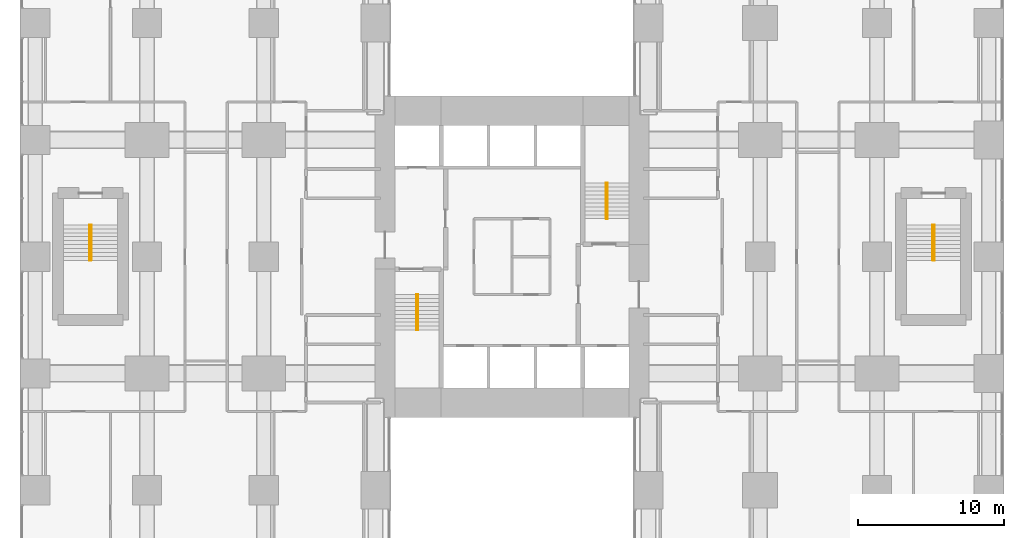
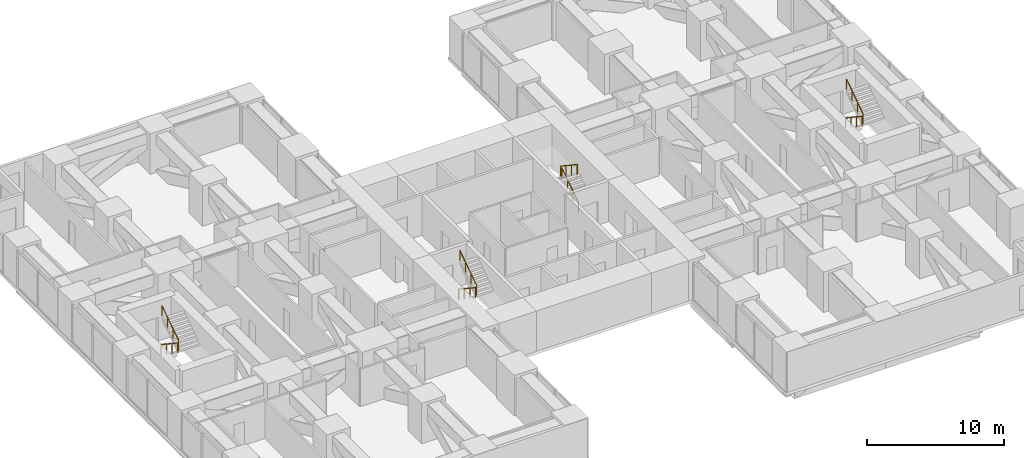
# One storey, part 15 of 15: 8 railings.
"""IFC4 building model written with IfcOpenShell, lengths in metres."""

from ifc_helpers import new_model, si_unit, direction, frame, origin, origin_2d, place, context, subcontext, project, spatial, circle, extrude, material, type_object, element, save


model = new_model("IFC4")

# Units and contexts
model_context = context("Model", 3, precision=1e-05, world=origin(), true_north=direction((0.0, 1.0)))
body_context = subcontext(model_context, "Body", "Model", "MODEL_VIEW")
ifc_project = project(units=[si_unit("LENGTHUNIT", "METRE"), si_unit("AREAUNIT", "SQUARE_METRE"), si_unit("VOLUMEUNIT", "CUBIC_METRE"), si_unit("PLANEANGLEUNIT", "RADIAN"), si_unit("MASSUNIT", "GRAM", prefix="KILO")], contexts=[model_context])

# Site, building, storey
site_placement = place(None, origin())
site = spatial("IfcSite", under=ifc_project, at=site_placement, CompositionType="ELEMENT")
building_placement = place(site_placement, origin())
building = spatial("IfcBuilding", under=site, at=building_placement, Name="Cleftline Residences", CompositionType="ELEMENT")
storey_placement = place(building_placement, frame((0.0, 0.0, 132.199951171875)))
storey = spatial("IfcBuildingStorey", under=building, at=storey_placement, Name="L34", CompositionType="ELEMENT", Elevation=132.199951171875)

# Railings
ifc_material = material(Name="Stainless steel", Category="steel")
railing_type = type_object("IfcRailingType", Name="HANDRAIL 900", PredefinedType="HANDRAIL", material=ifc_material)
railing_1_placement = place(storey_placement, frame((26.449951171875, 21.39990234375, 0.179931640625)))
element("IfcRailing", 1, at=railing_1_placement, inside=storey, type_object=railing_type, Name="Stair handrail", PredefinedType="HANDRAIL", context=body_context, shape_type="SweptSolid", body=[
    extrude(circle(Radius=0.02392578125, at=origin_2d()), frame((0.0, 0.0, 0.8759765625), z_axis=(0.0, -0.832024571796, 0.554738778101), x_axis=(1.0, 0.0, 0.0)), (0.0, 0.0, 1.0), 2.92041015625),
    extrude(circle(Radius=0.02099609375, at=origin_2d()), origin(), (0.0, 0.0, 1.0), 0.851806640625),
    extrude(circle(Radius=0.02099609375, at=origin_2d()), frame((0.0, -0.81005859375, 0.5400390625)), (0.0, 0.0, 1.0), 0.851806640625),
    extrude(circle(Radius=0.02099609375, at=origin_2d()), frame((0.0, -1.619873046875, 1.080078125)), (0.0, 0.0, 1.0), 0.851806640625),
    extrude(circle(Radius=0.02099609375, at=origin_2d()), frame((0.0, -2.429931640625, 1.6201171875)), (0.0, 0.0, 1.0), 0.851806640625),
])
for number, where, name in (
    (2, (26.550048828125, 18.969970703125, 1.97998046875), "Stair handrail"),
    (3, (39.550048828125, 26.60009765625, 0.179931640625), "Stair handrail"),
):
    element("IfcRailing", number, at=place(storey_placement, frame(where)), inside=storey, type_object=railing_type, Name=name, PredefinedType="HANDRAIL", context=body_context, shape_type="SweptSolid", body=[
        extrude(circle(Radius=0.02392578125, at=origin_2d()), frame((0.0, 0.0, 0.8759765625), z_axis=(0.0, 0.832024571796, 0.554738778101), x_axis=(-1.0, 0.0, 0.0)), (0.0, 0.0, 1.0), 2.92041015625),
        extrude(circle(Radius=0.02099609375, at=origin_2d()), origin(), (0.0, 0.0, 1.0), 0.851806640625),
        extrude(circle(Radius=0.02099609375, at=origin_2d()), frame((0.0, 0.81005859375, 0.5400390625)), (0.0, 0.0, 1.0), 0.851806640625),
        extrude(circle(Radius=0.02099609375, at=origin_2d()), frame((0.0, 1.619873046875, 1.080078125)), (0.0, 0.0, 1.0), 0.851806640625),
        extrude(circle(Radius=0.02099609375, at=origin_2d()), frame((0.0, 2.429931640625, 1.6201171875)), (0.0, 0.0, 1.0), 0.851806640625),
    ])
for number, where, name in (
    (4, (39.449951171875, 29.030029296875, 1.97998046875), "Stair handrail"),
    (5, (61.824951171875, 26.175048828125, 0.179931640625), "Stair handrail"),
):
    element("IfcRailing", number, at=place(storey_placement, frame(where)), inside=storey, type_object=railing_type, Name=name, PredefinedType="HANDRAIL", context=body_context, shape_type="SweptSolid", body=[
        extrude(circle(Radius=0.02392578125, at=origin_2d()), frame((0.0, 0.0, 0.8759765625), z_axis=(0.0, -0.832024571796, 0.554738778101), x_axis=(1.0, 0.0, 0.0)), (0.0, 0.0, 1.0), 2.92041015625),
        extrude(circle(Radius=0.02099609375, at=origin_2d()), origin(), (0.0, 0.0, 1.0), 0.851806640625),
        extrude(circle(Radius=0.02099609375, at=origin_2d()), frame((0.0, -0.81005859375, 0.5400390625)), (0.0, 0.0, 1.0), 0.851806640625),
        extrude(circle(Radius=0.02099609375, at=origin_2d()), frame((0.0, -1.619873046875, 1.080078125)), (0.0, 0.0, 1.0), 0.851806640625),
        extrude(circle(Radius=0.02099609375, at=origin_2d()), frame((0.0, -2.429931640625, 1.6201171875)), (0.0, 0.0, 1.0), 0.851806640625),
    ])
railing_2_placement = place(storey_placement, frame((61.925048828125, 23.7451171875, 1.97998046875)))
element("IfcRailing", 6, at=railing_2_placement, inside=storey, type_object=railing_type, Name="Stair handrail", PredefinedType="HANDRAIL", context=body_context, shape_type="SweptSolid", body=[
    extrude(circle(Radius=0.02392578125, at=origin_2d()), frame((0.0, 0.0, 0.8759765625), z_axis=(0.0, 0.832024571796, 0.554738778101), x_axis=(-1.0, 0.0, 0.0)), (0.0, 0.0, 1.0), 2.92041015625),
    extrude(circle(Radius=0.02099609375, at=origin_2d()), origin(), (0.0, 0.0, 1.0), 0.851806640625),
    extrude(circle(Radius=0.02099609375, at=origin_2d()), frame((0.0, 0.81005859375, 0.5400390625)), (0.0, 0.0, 1.0), 0.851806640625),
    extrude(circle(Radius=0.02099609375, at=origin_2d()), frame((0.0, 1.619873046875, 1.080078125)), (0.0, 0.0, 1.0), 0.851806640625),
    extrude(circle(Radius=0.02099609375, at=origin_2d()), frame((0.0, 2.429931640625, 1.6201171875)), (0.0, 0.0, 1.0), 0.851806640625),
])
railing_3_placement = place(storey_placement, frame((4.074951171875, 26.175048828125, 0.179931640625)))
element("IfcRailing", 7, at=railing_3_placement, inside=storey, type_object=railing_type, Name="Stair handrail", PredefinedType="HANDRAIL", context=body_context, shape_type="SweptSolid", body=[
    extrude(circle(Radius=0.02392578125, at=origin_2d()), frame((0.0, 0.0, 0.8759765625), z_axis=(0.0, -0.832024571796, 0.554738778101), x_axis=(1.0, 0.0, 0.0)), (0.0, 0.0, 1.0), 2.92041015625),
    extrude(circle(Radius=0.02099609375, at=origin_2d()), origin(), (0.0, 0.0, 1.0), 0.851806640625),
    extrude(circle(Radius=0.02099609375, at=origin_2d()), frame((0.0, -0.81005859375, 0.5400390625)), (0.0, 0.0, 1.0), 0.851806640625),
    extrude(circle(Radius=0.02099609375, at=origin_2d()), frame((0.0, -1.619873046875, 1.080078125)), (0.0, 0.0, 1.0), 0.851806640625),
    extrude(circle(Radius=0.02099609375, at=origin_2d()), frame((0.0, -2.429931640625, 1.6201171875)), (0.0, 0.0, 1.0), 0.851806640625),
])
railing_4_placement = place(storey_placement, frame((4.175048828125, 23.7451171875, 1.97998046875)))
element("IfcRailing", 8, at=railing_4_placement, inside=storey, type_object=railing_type, Name="Stair handrail", PredefinedType="HANDRAIL", context=body_context, shape_type="SweptSolid", body=[
    extrude(circle(Radius=0.02392578125, at=origin_2d()), frame((0.0, 0.0, 0.8759765625), z_axis=(0.0, 0.832024571796, 0.554738778101), x_axis=(-1.0, 0.0, 0.0)), (0.0, 0.0, 1.0), 2.92041015625),
    extrude(circle(Radius=0.02099609375, at=origin_2d()), origin(), (0.0, 0.0, 1.0), 0.851806640625),
    extrude(circle(Radius=0.02099609375, at=origin_2d()), frame((0.0, 0.81005859375, 0.5400390625)), (0.0, 0.0, 1.0), 0.851806640625),
    extrude(circle(Radius=0.02099609375, at=origin_2d()), frame((0.0, 1.619873046875, 1.080078125)), (0.0, 0.0, 1.0), 0.851806640625),
    extrude(circle(Radius=0.02099609375, at=origin_2d()), frame((0.0, 2.429931640625, 1.6201171875)), (0.0, 0.0, 1.0), 0.851806640625),
])

save(model, "model.ifc")
